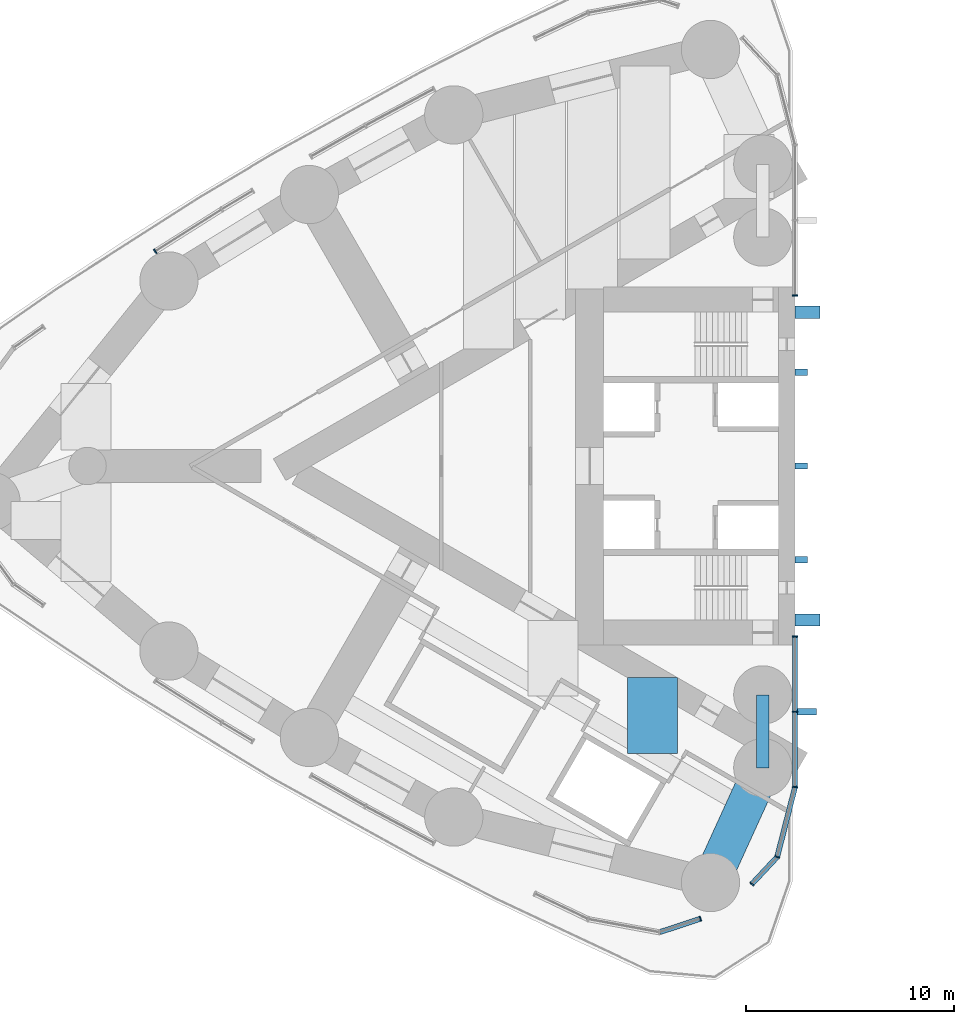
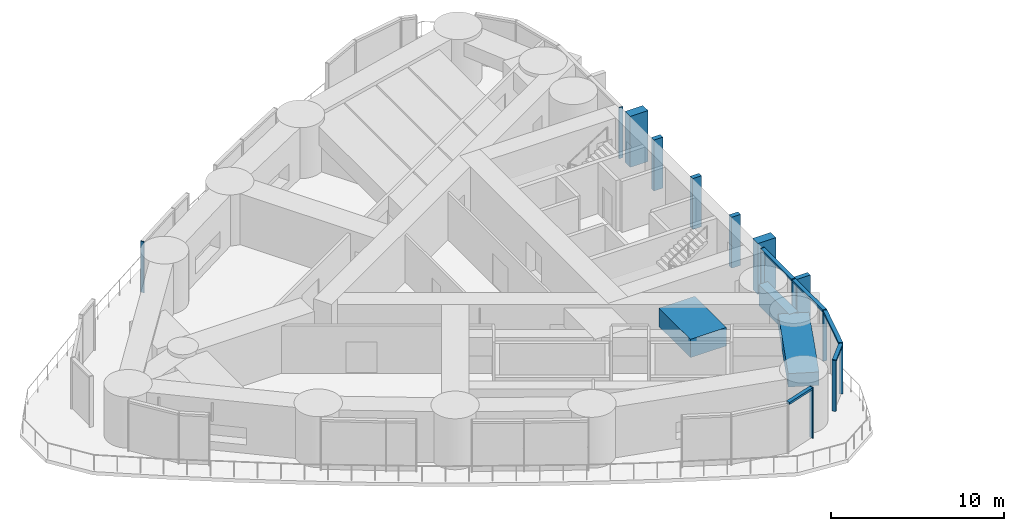
# One storey, part 4 of 17: 19 members, 3 beams, 4 elements without a shape of their own.
"""IFC4 building model written with IfcOpenShell, lengths in metres."""

from ifc_helpers import new_model, si_unit, direction, frame, origin, origin_2d, place, context, subcontext, project, spatial, rectangle, hollow_rectangle, extrude, material, material_profile, profile_set, type_object, element, aggregate, save


model = new_model("IFC4")

# Units and contexts
model_context = context("Model", 3, precision=1e-05, world=origin(), true_north=direction((0.0, 1.0)))
body_context = subcontext(model_context, "Body", "Model", "MODEL_VIEW")
ifc_project = project(units=[si_unit("LENGTHUNIT", "METRE"), si_unit("AREAUNIT", "SQUARE_METRE"), si_unit("VOLUMEUNIT", "CUBIC_METRE"), si_unit("PLANEANGLEUNIT", "RADIAN"), si_unit("MASSUNIT", "GRAM", prefix="KILO")], contexts=[model_context])

# Site, building, storey
site_placement = place(None, origin())
site = spatial("IfcSite", under=ifc_project, at=site_placement, CompositionType="ELEMENT")
building_placement = place(site_placement, origin())
building = spatial("IfcBuilding", under=site, at=building_placement, Name="Lancet Gate Hotel", CompositionType="ELEMENT")
storey_placement = place(building_placement, frame((0.0, 0.0, 152.699951171875)))
storey = spatial("IfcBuildingStorey", under=building, at=storey_placement, Name="L40", CompositionType="ELEMENT", Elevation=152.699951171875)

# Curtain wall, member
ifc_material_1 = material(Name="Aluminium curtain wall", Category="aluminium")
curtain_wall_type = type_object("IfcCurtainWallType", Name="Tower unitised curtain wall", PredefinedType="USERDEFINED", material=ifc_material_1)
curtain_wall_1_placement = place(storey_placement, origin())
curtain_wall_1 = element("IfcCurtainWall", 1, at=curtain_wall_1_placement, inside=storey, type_object=curtain_wall_type, Name="T1 L40 curtain wall 1", ObjectType="UNITISED CURTAIN WALL", PredefinedType="USERDEFINED")
ifc_material_2 = material(Name="Aluminium mullion", Category="aluminium")
ifc_material_profile_1 = material_profile(ifc_material_2, rectangle(XDim=0.06494140625, YDim=0.25, at=origin_2d()), Name="MULLION 65x250")
ifc_profile_set_1 = profile_set([ifc_material_profile_1], Name="Aluminium mullion")
member_type_1 = type_object("IfcMemberType", Name="Aluminium mullion 65x250", PredefinedType="MULLION", material=ifc_profile_set_1)
member_1_placement = place(storey_placement, frame((-27.5, 8.199951171875, 0.0), z_axis=(0.0, 0.0, 1.0), x_axis=(0.0, 1.0, 0.0)))
member_1 = element("IfcMember", 2, at=member_1_placement, type_object=member_type_1, Name="T1 L40 curtain wall 1 mullion 1", PredefinedType="MULLION", context=body_context, shape_type="SweptSolid", body=[
    extrude(rectangle(XDim=0.06494140625, YDim=0.25, at=origin_2d()), origin(), (0.0, 0.0, 1.0), 3.60009765625),
])
aggregate(curtain_wall_1, [member_1])

curtain_wall_2_placement = place(storey_placement, origin())
curtain_wall_2 = element("IfcCurtainWall", 3, at=curtain_wall_2_placement, inside=storey, type_object=curtain_wall_type, Name="T1 L40 curtain wall 4", ObjectType="UNITISED CURTAIN WALL", PredefinedType="USERDEFINED")
member_2_placement = place(storey_placement, frame((-58.2451171875, 10.31201171875, 0.0), z_axis=(0.0, 0.0, 1.0), x_axis=(-0.845666871497, -0.533711103925, 0.0)))
member_2 = element("IfcMember", 4, at=member_2_placement, type_object=member_type_1, Name="T1 L40 curtain wall 4 mullion 3", PredefinedType="MULLION", context=body_context, shape_type="SweptSolid", body=[
    extrude(rectangle(XDim=0.06494140625, YDim=0.25, at=origin_2d()), origin(), (0.0, 0.0, 1.0), 3.60009765625),
])
aggregate(curtain_wall_2, [member_2])

curtain_wall_3_placement = place(storey_placement, origin())
curtain_wall_3 = element("IfcCurtainWall", 5, at=curtain_wall_3_placement, inside=storey, type_object=curtain_wall_type, Name="T1 L40 curtain wall 10", ObjectType="UNITISED CURTAIN WALL", PredefinedType="USERDEFINED")
member_3_placement = place(storey_placement, frame((-32.04638671875, -21.755126953125, 0.0), z_axis=(0.0, 0.0, 1.0), x_axis=(0.949848055084, 0.312711803827, 0.0)))
member_3 = element("IfcMember", 6, at=member_3_placement, type_object=member_type_1, Name="T1 L40 curtain wall 10 mullion 4", PredefinedType="MULLION", context=body_context, shape_type="SweptSolid", body=[
    extrude(rectangle(XDim=0.06494140625, YDim=0.25, at=origin_2d()), origin(), (0.0, 0.0, 1.0), 3.60009765625),
])

# Curtain wall, members
curtain_wall_4_placement = place(storey_placement, origin())
curtain_wall_4 = element("IfcCurtainWall", 7, at=curtain_wall_4_placement, inside=storey, type_object=curtain_wall_type, Name="T1 L40 curtain wall 11", ObjectType="UNITISED CURTAIN WALL", PredefinedType="USERDEFINED")
member_4_placement = place(storey_placement, frame((-29.574462890625, -20.084716796875, 0.0), z_axis=(0.0, 0.0, 1.0), x_axis=(0.682844962172, 0.730563315282, 0.0)))
member_4 = element("IfcMember", 8, at=member_4_placement, type_object=member_type_1, Name="T1 L40 curtain wall 11 mullion 1", PredefinedType="MULLION", context=body_context, shape_type="SweptSolid", body=[
    extrude(rectangle(XDim=0.06494140625, YDim=0.25, at=origin_2d()), origin(), (0.0, 0.0, 1.0), 3.60009765625),
])
member_5_placement = place(storey_placement, frame((-28.360595703125, -18.7861328125, 0.0), z_axis=(0.0, 0.0, 1.0), x_axis=(0.406580757584, 0.9136148464, 0.0)))
member_5 = element("IfcMember", 9, at=member_5_placement, type_object=member_type_1, Name="T1 L40 curtain wall 11 mullion 2", PredefinedType="MULLION", context=body_context, shape_type="SweptSolid", body=[
    extrude(rectangle(XDim=0.06494140625, YDim=0.25, at=origin_2d()), origin(), (0.0, 0.0, 1.0), 3.60009765625),
])
member_6_placement = place(storey_placement, frame((-27.5, -15.42333984375, 0.0), z_axis=(0.0, 0.0, 1.0), x_axis=(0.122467472845, 0.992472527627, 0.0)))
member_6 = element("IfcMember", 10, at=member_6_placement, type_object=member_type_1, Name="T1 L40 curtain wall 11 mullion 3", PredefinedType="MULLION", context=body_context, shape_type="SweptSolid", body=[
    extrude(rectangle(XDim=0.06494140625, YDim=0.25, at=origin_2d()), origin(), (0.0, 0.0, 1.0), 3.60009765625),
])
member_7_placement = place(storey_placement, frame((-27.5, -11.811767578125, 0.0), z_axis=(0.0, 0.0, 1.0), x_axis=(0.0, 1.0, 0.0)))
member_7 = element("IfcMember", 11, at=member_7_placement, type_object=member_type_1, Name="T1 L40 curtain wall 11 mullion 4", PredefinedType="MULLION", context=body_context, shape_type="SweptSolid", body=[
    extrude(rectangle(XDim=0.06494140625, YDim=0.25, at=origin_2d()), origin(), (0.0, 0.0, 1.0), 3.60009765625),
])
member_8_placement = place(storey_placement, frame((-27.5, -8.199951171875, 0.0), z_axis=(0.0, 0.0, 1.0), x_axis=(0.0, 1.0, 0.0)))
member_8 = element("IfcMember", 12, at=member_8_placement, type_object=member_type_1, Name="T1 L40 curtain wall 11 mullion 5", PredefinedType="MULLION", context=body_context, shape_type="SweptSolid", body=[
    extrude(rectangle(XDim=0.06494140625, YDim=0.25, at=origin_2d()), origin(), (0.0, 0.0, 1.0), 3.60009765625),
])

# Member
ifc_material_3 = material(Name="Aluminium transom", Category="aluminium")
ifc_material_profile_2 = material_profile(ifc_material_3, rectangle(XDim=0.25, YDim=0.14990234375, at=origin_2d()), Name="TRANSOM 250x150")
ifc_profile_set_2 = profile_set([ifc_material_profile_2], Name="Aluminium transom")
member_type_2 = type_object("IfcMemberType", Name="Aluminium transom 250x150", PredefinedType="USERDEFINED", material=ifc_profile_set_2)
member_9_placement = place(storey_placement, frame((-33.9970703125, -22.397216796875, 3.525146484375), z_axis=(0.949836582124, 0.312746650276, 0.0), x_axis=(-0.312746650276, 0.949836582124, 0.0)))
member_9 = element("IfcMember", 13, at=member_9_placement, type_object=member_type_2, Name="T1 L40 curtain wall 10 transom 3", ObjectType="TRANSOM", PredefinedType="USERDEFINED", context=body_context, shape_type="SweptSolid", body=[
    extrude(rectangle(XDim=0.25, YDim=0.14990234375, at=origin_2d()), origin(), (0.0, 0.0, 1.0), 2.02099609375),
])

aggregate(curtain_wall_3, [member_3, member_9])

member_10_placement = place(storey_placement, frame((-29.55224609375, -20.06103515625, 3.525146484375), z_axis=(0.682825992097, 0.730581045824, 0.0), x_axis=(-0.730581045824, 0.682825992097, 0.0)))
member_10 = element("IfcMember", 14, at=member_10_placement, type_object=member_type_2, Name="T1 L40 curtain wall 11 transom 1", ObjectType="TRANSOM", PredefinedType="USERDEFINED", context=body_context, shape_type="SweptSolid", body=[
    extrude(rectangle(XDim=0.25, YDim=0.14990234375, at=origin_2d()), origin(), (0.0, 0.0, 1.0), 1.712646484375),
])

member_11_placement = place(storey_placement, frame((-28.3525390625, -18.754638671875, 3.525146484375), z_axis=(0.247928683912, 0.968778286139, 0.0), x_axis=(-0.968778286139, 0.247928683912, 0.0)))
member_11 = element("IfcMember", 15, at=member_11_placement, type_object=member_type_2, Name="T1 L40 curtain wall 11 transom 2", ObjectType="TRANSOM", PredefinedType="USERDEFINED", context=body_context, shape_type="SweptSolid", body=[
    extrude(rectangle(XDim=0.25, YDim=0.14990234375, at=origin_2d()), origin(), (0.0, 0.0, 1.0), 3.40625),
])

member_12_placement = place(storey_placement, frame((-27.5, -15.390869140625, 3.525146484375), z_axis=(0.0, 1.0, 0.0), x_axis=(-1.0, 0.0, 0.0)))
member_12 = element("IfcMember", 16, at=member_12_placement, type_object=member_type_2, Name="T1 L40 curtain wall 11 transom 3", ObjectType="TRANSOM", PredefinedType="USERDEFINED", context=body_context, shape_type="SweptSolid", body=[
    extrude(rectangle(XDim=0.25, YDim=0.14990234375, at=origin_2d()), origin(), (0.0, 0.0, 1.0), 3.546630859375),
])

member_13_placement = place(storey_placement, frame((-27.5, -11.779296875, 3.525146484375), z_axis=(0.0, 1.0, 0.0), x_axis=(-1.0, 0.0, 0.0)))
member_13 = element("IfcMember", 17, at=member_13_placement, type_object=member_type_2, Name="T1 L40 curtain wall 11 transom 4", ObjectType="TRANSOM", PredefinedType="USERDEFINED", context=body_context, shape_type="SweptSolid", body=[
    extrude(rectangle(XDim=0.25, YDim=0.14990234375, at=origin_2d()), origin(), (0.0, 0.0, 1.0), 3.546875),
])

# Beam
ifc_material_4 = material(Name="Concrete C50/60", Category="concrete")
ifc_material_profile_3 = material_profile(ifc_material_4, rectangle(XDim=1.800048828125, YDim=0.949951171875, at=origin_2d()), Name="RC 1800x950")
ifc_profile_set_3 = profile_set([ifc_material_profile_3], Name="Concrete C50/60")
beam_type_1 = type_object("IfcBeamType", Name="Edge beam RC 1800x950", PredefinedType="SPANDREL", material=ifc_profile_set_3)
beam_1_placement = place(storey_placement, frame((-29.050048828125, -14.5, 2.875), z_axis=(-0.414919206993, -0.909858259109, 0.0), x_axis=(0.909858259109, -0.414919206993, 0.0)))
element("IfcBeam", 18, at=beam_1_placement, inside=storey, type_object=beam_type_1, Name="T1 edge beam EB1 L40", PredefinedType="SPANDREL", context=body_context, shape_type="SweptSolid", body=[
    extrude(rectangle(XDim=1.800048828125, YDim=0.949951171875, at=origin_2d()), origin(), (0.0, 0.0, 1.0), 6.062255859375),
])

# Members
ifc_material_5 = material(Name="Concrete C60/75", Category="concrete")
ifc_material_profile_4 = material_profile(ifc_material_5, rectangle(XDim=0.60009765625, YDim=1.199951171875, at=origin_2d()), Name="FIN 600x1200")
ifc_profile_set_4 = profile_set([ifc_material_profile_4], Name="Concrete C60/75")
member_type_3 = type_object("IfcMemberType", Name="Exposed concrete buttress pilaster 600x1200", PredefinedType="USERDEFINED", material=ifc_profile_set_4)
for number, where, z_axis, x_axis, name in (
    (19, (-26.909912109375, 7.39990234375, 0.0), (0.0, 0.0, 1.0), (0.0, 1.0, 0.0), "T1 buttress pilaster S L40"),
    (20, (-26.909912109375, -7.39990234375, 0.0), (0.0, 0.0, 1.0), (0.0, 1.0, 0.0), "T1 buttress pilaster N L40"),
):
    element("IfcMember", number, at=place(storey_placement, frame(where, z_axis=z_axis, x_axis=x_axis)), inside=storey, type_object=member_type_3, Name=name, ObjectType="FIN", PredefinedType="USERDEFINED", context=body_context, shape_type="SweptSolid", body=[
        extrude(rectangle(XDim=0.60009765625, YDim=1.199951171875, at=origin_2d()), origin(), (0.0, 0.0, 1.0), 3.60009765625),
    ])

# Member
ifc_material_6 = material(Name="Precast concrete C50/60", Category="concrete")
ifc_material_profile_5 = material_profile(ifc_material_6, rectangle(XDim=0.300048828125, YDim=0.89990234375, at=origin_2d()), Name="FIN 300x900")
ifc_profile_set_5 = profile_set([ifc_material_profile_5], Name="Precast concrete C50/60")
member_type_4 = type_object("IfcMemberType", Name="Exposed concrete fin 300x900", PredefinedType="USERDEFINED", material=ifc_profile_set_5)
member_14_placement = place(storey_placement, frame((-26.925048828125, -11.811767578125, 0.0), z_axis=(0.0, 0.0, 1.0), x_axis=(0.0, 1.0, 0.0)))
member_14 = element("IfcMember", 21, at=member_14_placement, type_object=member_type_4, Name="T1 L40 curtain wall 11 fin 4", ObjectType="FIN", PredefinedType="USERDEFINED", context=body_context, shape_type="SweptSolid", body=[
    extrude(rectangle(XDim=0.300048828125, YDim=0.89990234375, at=origin_2d()), origin(), (0.0, 0.0, 1.0), 3.60009765625),
])

aggregate(curtain_wall_4, [member_4, member_5, member_6, member_7, member_14, member_8, member_10, member_11, member_12, member_13])

# Members
ifc_material_7 = material(Name="Concrete C60/75", Category="concrete")
ifc_material_profile_6 = material_profile(ifc_material_7, rectangle(XDim=0.300048828125, YDim=0.60009765625, at=origin_2d()), Name="FIN 300x600")
ifc_profile_set_6 = profile_set([ifc_material_profile_6], Name="Concrete C60/75")
member_type_5 = type_object("IfcMemberType", Name="Exposed concrete rib 300x600", PredefinedType="USERDEFINED", material=ifc_profile_set_6)
for number, where, z_axis, x_axis, name in (
    (22, (-27.2099609375, 4.5, 0.0), (0.0, 0.0, 1.0), (0.0, 1.0, 0.0), "T1 core rib 1 L40"),
    (23, (-27.2099609375, 0.0, 0.0), (0.0, 0.0, 1.0), (0.0, 1.0, 0.0), "T1 core rib 2 L40"),
    (24, (-27.2099609375, -4.5, 0.0), (0.0, 0.0, 1.0), (0.0, 1.0, 0.0), "T1 core rib 3 L40"),
):
    element("IfcMember", number, at=place(storey_placement, frame(where, z_axis=z_axis, x_axis=x_axis)), inside=storey, type_object=member_type_5, Name=name, ObjectType="FIN", PredefinedType="USERDEFINED", context=body_context, shape_type="SweptSolid", body=[
        extrude(rectangle(XDim=0.300048828125, YDim=0.60009765625, at=origin_2d()), origin(), (0.0, 0.0, 1.0), 3.60009765625),
    ])

# Beams
ifc_material_8 = material(Name="Concrete C50/60", Category="concrete")
ifc_material_profile_7 = material_profile(ifc_material_8, rectangle(XDim=2.39990234375, YDim=1.300048828125, at=origin_2d()), Name="RC 2400x1300")
ifc_profile_set_7 = profile_set([ifc_material_profile_7], Name="Concrete C50/60")
beam_type_2 = type_object("IfcBeamType", Name="Floor beam RC 2400x1300", PredefinedType="BEAM", material=ifc_profile_set_7)
beam_2_placement = place(storey_placement, frame((-34.353515625, -10.169921875, 2.699951171875), z_axis=(0.0, -1.0, 0.0), x_axis=(1.0, 0.0, 0.0)))
element("IfcBeam", 25, at=beam_2_placement, inside=storey, type_object=beam_type_2, Name="T1 floor beam F02NA L40", PredefinedType="BEAM", context=body_context, shape_type="SweptSolid", body=[
    extrude(rectangle(XDim=2.39990234375, YDim=1.300048828125, at=origin_2d()), origin(), (0.0, 0.0, 1.0), 3.645751953125),
])
ifc_material_9 = material(Name="Steel S460QL", Category="steel")
ifc_material_profile_8 = material_profile(ifc_material_9, hollow_rectangle(XDim=0.60009765625, YDim=1.5, WallThickness=0.050048828125, at=origin_2d()), Name="BOX 1500x600x50")
ifc_profile_set_8 = profile_set([ifc_material_profile_8], Name="Steel S460QL")
beam_type_3 = type_object("IfcBeamType", Name="Inner-face link beam BOX 1500x600x50", PredefinedType="BEAM", material=ifc_profile_set_8)
beam_3_placement = place(storey_placement, frame((-29.050048828125, -11.0, 2.60009765625), z_axis=(0.0, -1.0, 0.0), x_axis=(1.0, 0.0, 0.0)))
element("IfcBeam", 26, at=beam_3_placement, inside=storey, type_object=beam_type_3, Name="T1 inner-face link beam LK1 L40", PredefinedType="BEAM", context=body_context, shape_type="SweptSolid", body=[
    extrude(hollow_rectangle(XDim=0.60009765625, YDim=1.5, WallThickness=0.050048828125, at=origin_2d()), origin(), (0.0, 0.0, 1.0), 3.5),
])

save(model, "model.ifc")
